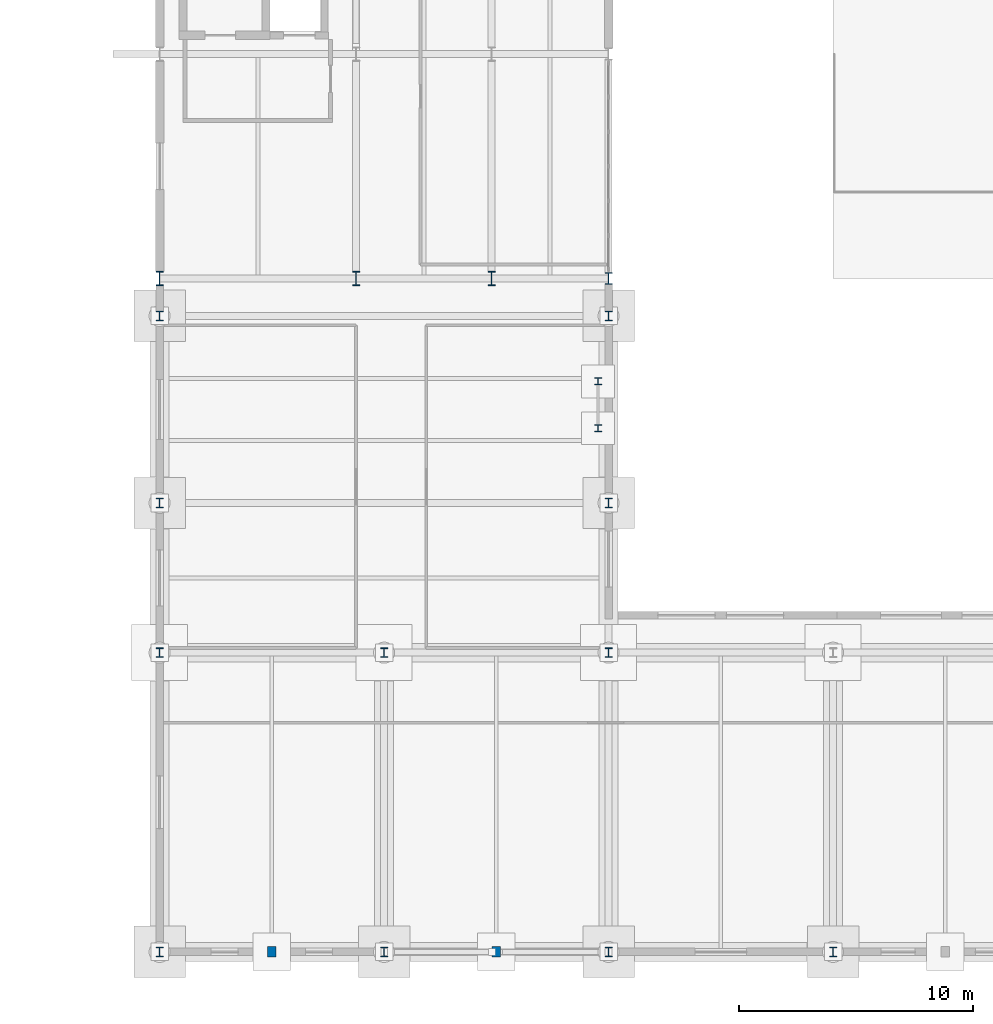
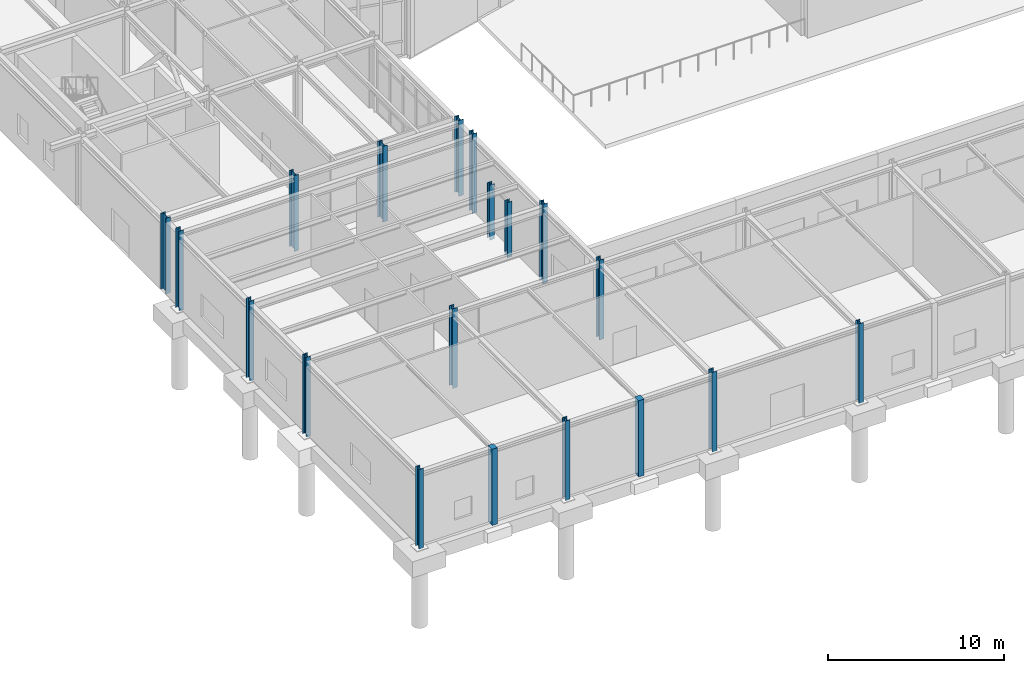
# One storey, part 4 of 109: 19 columns.
"""IFC4 building model written with IfcOpenShell, lengths in metres."""

from ifc_helpers import new_model, si_unit, direction, frame, origin, origin_2d, place, context, subcontext, project, spatial, rectangle, i_section, extrude, material, material_profile, profile_set, type_object, element, save


model = new_model("IFC4")

# Units and contexts
model_context = context("Model", 3, precision=1e-05, world=origin(), true_north=direction((0.0, 1.0)))
body_context = subcontext(model_context, "Body", "Model", "MODEL_VIEW")
ifc_project = project(units=[si_unit("LENGTHUNIT", "METRE"), si_unit("AREAUNIT", "SQUARE_METRE"), si_unit("VOLUMEUNIT", "CUBIC_METRE"), si_unit("PLANEANGLEUNIT", "RADIAN"), si_unit("MASSUNIT", "GRAM", prefix="KILO")], contexts=[model_context])

# Site, building, storey
site_placement = place(None, origin())
site = spatial("IfcSite", under=ifc_project, at=site_placement, CompositionType="ELEMENT")
building_placement = place(site_placement, origin())
building = spatial("IfcBuilding", under=site, at=building_placement, Name="Nordkorset Police Headquarters", CompositionType="ELEMENT")
storey_placement = place(building_placement, origin())
storey = spatial("IfcBuildingStorey", under=building, at=storey_placement, Name="L00", CompositionType="ELEMENT", Elevation=0.0)

# Columns
ifc_material_1 = material(Name="Steel S355J2", Category="steel")
ifc_material_profile_1 = material_profile(ifc_material_1, i_section(OverallWidth=0.300048828125, OverallDepth=0.300048828125, WebThickness=0.010986328125, FlangeThickness=0.01904296875, FilletRadius=0.027099609375, at=origin_2d()), Name="HEB 300")
ifc_profile_set_1 = profile_set([ifc_material_profile_1], Name="Steel S355J2")
column_type_1 = type_object("IfcColumnType", Name="Col_HEB_300", PredefinedType="COLUMN", material=ifc_profile_set_1)
for number, where, z_axis, x_axis, name in (
    (1, (18.75, 22.39990234375, -0.27001953125), (0.0, 0.0, 1.0), (1.0, 0.0, 0.0), "Portal Jamb Post LNT-V7-W-0"),
    (2, (18.75, 24.39990234375, -0.27001953125), (0.0, 0.0, 1.0), (1.0, 0.0, 0.0), "Portal Jamb Post LNT-V7-W-1"),
):
    element("IfcColumn", number, at=place(storey_placement, frame(where, z_axis=z_axis, x_axis=x_axis)), inside=storey, type_object=column_type_1, Name=name, PredefinedType="COLUMN", context=body_context, shape_type="SweptSolid", body=[
        extrude(i_section(OverallWidth=0.300048828125, OverallDepth=0.300048828125, WebThickness=0.010986328125, FlangeThickness=0.01904296875, FilletRadius=0.027099609375, at=origin_2d()), origin(), (0.0, 0.0, 1.0), 3.820068359375),
    ])
ifc_material_2 = material(Name="Steel S355J2", Category="steel")
ifc_material_profile_2 = material_profile(ifc_material_2, i_section(OverallWidth=0.300048828125, OverallDepth=0.39990234375, WebThickness=0.013427734375, FlangeThickness=0.02392578125, FilletRadius=0.027099609375, at=origin_2d()), Name="HEB 400")
ifc_profile_set_2 = profile_set([ifc_material_profile_2], Name="Steel S355J2")
column_type_2 = type_object("IfcColumnType", Name="Col_HEB_400", PredefinedType="COLUMN", material=ifc_profile_set_2)
for number, where, z_axis, x_axis, name in (
    (3, (0.0, 0.0, -0.27001953125), (0.0, 0.0, 1.0), (1.0, 0.0, 0.0), "Structural Column V7_S0_0 L00"),
    (4, (0.0, 12.800048828125, -0.27001953125), (0.0, 0.0, 1.0), (1.0, 0.0, 0.0), "Structural Column V7_S1_0 L00"),
    (5, (9.60009765625, 0.0, -0.27001953125), (0.0, 0.0, 1.0), (1.0, 0.0, 0.0), "Structural Column V7_S0_1 L00"),
    (6, (9.60009765625, 12.800048828125, -0.27001953125), (0.0, 0.0, 1.0), (1.0, 0.0, 0.0), "Structural Column V7_S1_1 L00"),
    (7, (19.199951171875, 0.0, -0.27001953125), (0.0, 0.0, 1.0), (1.0, 0.0, 0.0), "Structural Column V7_S0_2 L00"),
    (8, (19.199951171875, 12.800048828125, -0.27001953125), (0.0, 0.0, 1.0), (1.0, 0.0, 0.0), "Structural Column V7_S1_2 L00"),
    (9, (28.800048828125, 0.0, -0.27001953125), (0.0, 0.0, 1.0), (1.0, 0.0, 0.0), "Structural Column V7_S0_3 L00"),
    (10, (0.0, 19.199951171875, -0.27001953125), (0.0, 0.0, 1.0), (1.0, 0.0, 0.0), "Structural Column V7_WC_0_192 L00"),
    (11, (19.199951171875, 19.199951171875, -0.27001953125), (0.0, 0.0, 1.0), (1.0, 0.0, 0.0), "Structural Column V7_WC_1_192 L00"),
    (12, (0.0, 27.199951171875, -0.27001953125), (0.0, 0.0, 1.0), (1.0, 0.0, 0.0), "Structural Column V7_WC_0_272 L00"),
    (13, (19.199951171875, 27.199951171875, -0.27001953125), (0.0, 0.0, 1.0), (1.0, 0.0, 0.0), "Structural Column V7_WC_1_272 L00"),
):
    element("IfcColumn", number, at=place(storey_placement, frame(where, z_axis=z_axis, x_axis=x_axis)), inside=storey, type_object=column_type_2, Name=name, PredefinedType="COLUMN", context=body_context, shape_type="SweptSolid", body=[
        extrude(i_section(OverallWidth=0.300048828125, OverallDepth=0.39990234375, WebThickness=0.013427734375, FlangeThickness=0.02392578125, FilletRadius=0.027099609375, at=origin_2d()), origin(), (0.0, 0.0, 1.0), 5.52001953125),
    ])
ifc_material_3 = material(Name="Steel S355J2", Category="steel")
ifc_material_profile_3 = material_profile(ifc_material_3, i_section(OverallWidth=0.300048828125, OverallDepth=0.5, WebThickness=0.014404296875, FlangeThickness=0.028076171875, FilletRadius=0.027099609375, at=origin_2d()), Name="HEB 500")
ifc_profile_set_3 = profile_set([ifc_material_profile_3], Name="Steel S355J2")
column_type_3 = type_object("IfcColumnType", Name="Col_HEB_500", PredefinedType="COLUMN", material=ifc_profile_set_3)
column_placement = place(storey_placement, frame((19.199951171875, 28.800048828125, 0.0), z_axis=(0.0, 0.0, 1.0), x_axis=(1.0, 0.0, 0.0)))
element("IfcColumn", 14, at=column_placement, inside=storey, type_object=column_type_3, Name="Structural Column V3_X3_0 L00", PredefinedType="COLUMN", context=body_context, shape_type="SweptSolid", body=[
    extrude(i_section(OverallWidth=0.300048828125, OverallDepth=0.5, WebThickness=0.014404296875, FlangeThickness=0.028076171875, FilletRadius=0.027099609375, at=origin_2d()), origin(), (0.0, 0.0, 1.0), 5.25),
])
ifc_material_4 = material(Name="Steel S355J2", Category="steel")
ifc_material_profile_4 = material_profile(ifc_material_4, i_section(OverallWidth=0.300048828125, OverallDepth=0.60009765625, WebThickness=0.015380859375, FlangeThickness=0.030029296875, FilletRadius=0.027099609375, at=origin_2d()), Name="HEB 600")
ifc_profile_set_4 = profile_set([ifc_material_profile_4], Name="Steel S355J2")
column_type_4 = type_object("IfcColumnType", Name="Col_HEB_600", PredefinedType="COLUMN", material=ifc_profile_set_4)
for number, where, z_axis, x_axis, name in (
    (15, (0.0, 28.800048828125, 0.0), (0.0, 0.0, 1.0), (1.0, 0.0, 0.0), "Structural Column V3_X0_0 L00"),
    (16, (8.39990234375, 28.800048828125, 0.0), (0.0, 0.0, 1.0), (1.0, 0.0, 0.0), "Structural Column V3_X1_0 L00"),
    (17, (14.199951171875, 28.800048828125, 0.0), (0.0, 0.0, 1.0), (1.0, 0.0, 0.0), "Structural Column V3_X2_0 L00"),
):
    element("IfcColumn", number, at=place(storey_placement, frame(where, z_axis=z_axis, x_axis=x_axis)), inside=storey, type_object=column_type_4, Name=name, PredefinedType="COLUMN", context=body_context, shape_type="SweptSolid", body=[
        extrude(i_section(OverallWidth=0.300048828125, OverallDepth=0.60009765625, WebThickness=0.015380859375, FlangeThickness=0.030029296875, FilletRadius=0.027099609375, at=origin_2d()), origin(), (0.0, 0.0, 1.0), 5.25),
    ])
ifc_material_5 = material(Name="Concrete C45/55", Category="concrete")
ifc_material_profile_5 = material_profile(ifc_material_5, rectangle(XDim=0.35009765625, YDim=0.449951171875, at=origin_2d()), Name="RC 450x350")
ifc_profile_set_5 = profile_set([ifc_material_profile_5], Name="Concrete C45/55")
column_type_5 = type_object("IfcColumnType", Name="Pilaster_RC_450x350", PredefinedType="PILASTER", material=ifc_profile_set_5)
for number, where, z_axis, x_axis, name in (
    (18, (4.800048828125, 0.0, -0.27001953125), (0.0, 0.0, 1.0), (1.0, 0.0, 0.0), "Perimeter Pilaster 01 L00"),
    (19, (14.39990234375, 0.0, -0.27001953125), (0.0, 0.0, 1.0), (1.0, 0.0, 0.0), "Perimeter Pilaster 02 L00"),
):
    element("IfcColumn", number, at=place(storey_placement, frame(where, z_axis=z_axis, x_axis=x_axis)), inside=storey, type_object=column_type_5, Name=name, PredefinedType="PILASTER", context=body_context, shape_type="SweptSolid", body=[
        extrude(rectangle(XDim=0.35009765625, YDim=0.449951171875, at=origin_2d()), origin(), (0.0, 0.0, 1.0), 5.27001953125),
    ])

save(model, "model.ifc")
